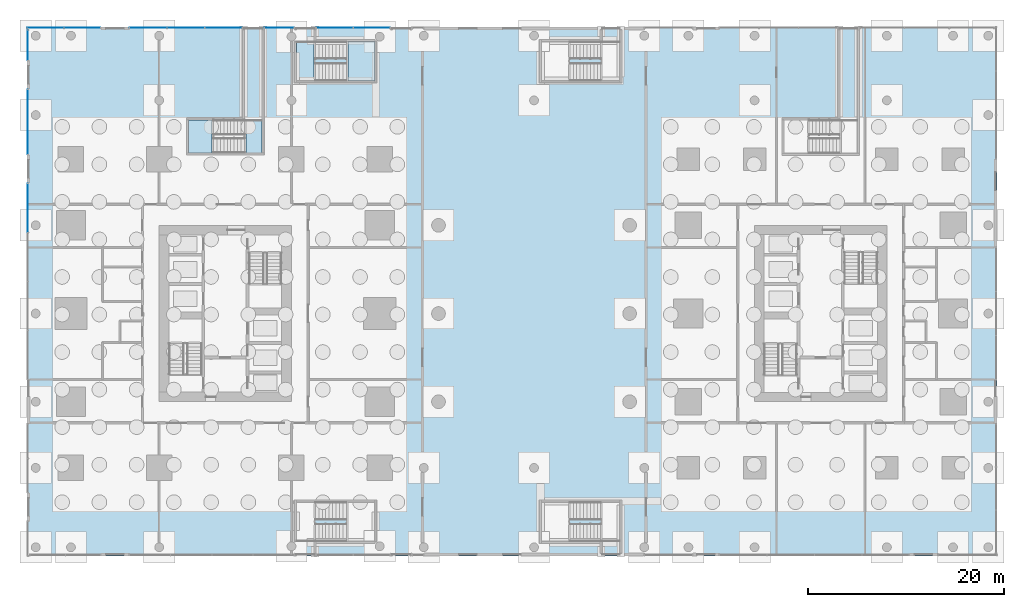
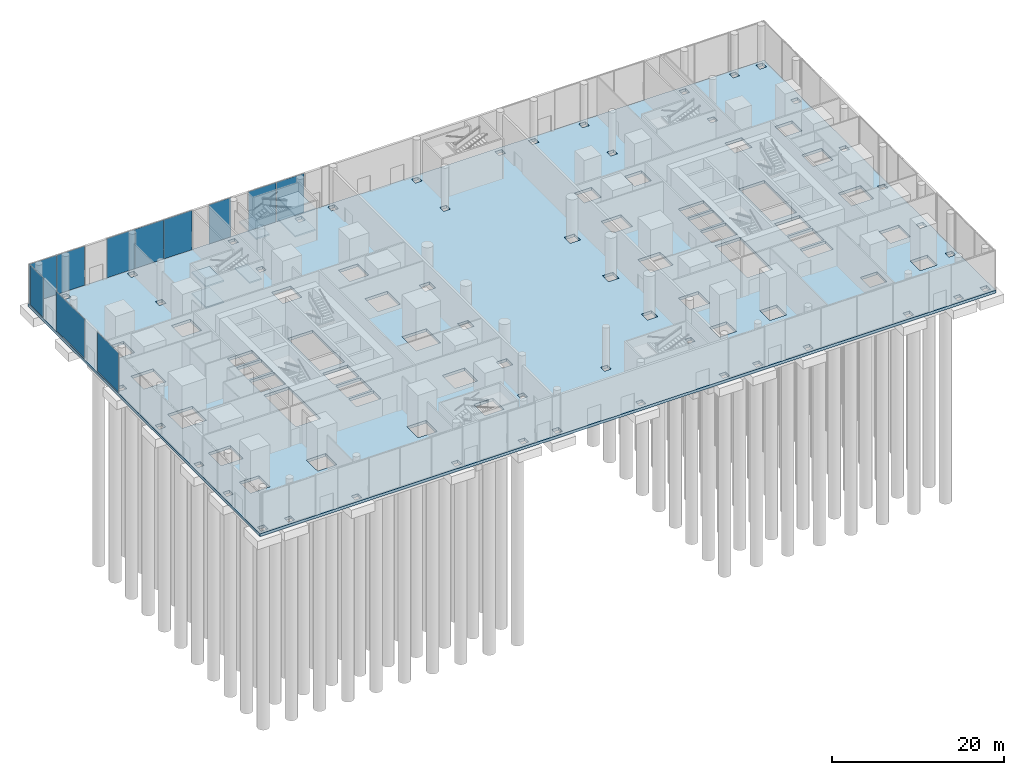
# One storey, part 16 of 31: 11 plates, 7 slabs, 9 elements without a shape of their own.
"""IFC4 building model written with IfcOpenShell, lengths in metres."""

import ifcopenshell
import ifcopenshell.guid

model = None  # the IFC model being written
_history = None  # IfcOwnerHistory: only IFC2X3 demands one
_inside = {}  # id of a spatial element -> (the spatial element, [elements in it])
_under = {}  # id of a project, library or spatial element -> (it, [spatial elements below it])
_declared = {}  # id of a project -> (the project, [libraries it declares])
_typed = {}  # id of a type object -> (the type object, [elements of that type])
_made_of = {}  # id of a material, layer set ... -> (it, [elements and type objects made of it])


def new_model(schema):
    """Start an empty IFC model of exactly this schema.

    Asked for "IFC4X3", IfcOpenShell would pick the latest addendum, in which some entities
    have other attributes; the version numbers below select the first issue.
    IFC2X3 requires an IfcOwnerHistory on every rooted entity: one is made here for all.
    """
    global model, _history
    if schema == "IFC4X3":
        model = ifcopenshell.file(schema_version=(4, 3, 0, 0))
    else:
        model = ifcopenshell.file(schema=schema)
    _inside.clear()
    _under.clear()
    _declared.clear()
    _typed.clear()
    _made_of.clear()
    _history = None
    if model.schema == "IFC2X3":
        org = make("IfcOrganization", Name="unknown")
        user = make(
            "IfcPersonAndOrganization",
            ThePerson=make("IfcPerson", FamilyName="unknown"),
            TheOrganization=org,
        )
        app = make(
            "IfcApplication",
            ApplicationDeveloper=org,
            Version="unknown",
            ApplicationFullName="unknown",
            ApplicationIdentifier="unknown",
        )
        _history = make(
            "IfcOwnerHistory",
            OwningUser=user,
            OwningApplication=app,
            ChangeAction="ADDED",
            CreationDate=0,
        )
    return model


def make(cls, **values):
    """One entity of the class cls with the attributes given. An attribute that is None is left unset."""
    return model.create_entity(
        cls, **{name: value for name, value in values.items() if value is not None}
    )


def rooted(cls, **values):
    """An entity with a GlobalId (a new one), such as an element, a storey or a relation."""
    return make(cls, GlobalId=ifcopenshell.guid.new(), OwnerHistory=_history, **values)


def si_unit(unit_type, name, prefix=None):
    """IfcSIUnit, for example si_unit("LENGTHUNIT", "METRE", prefix="MILLI")."""
    return make("IfcSIUnit", UnitType=unit_type, Prefix=prefix, Name=name)


def assignment(units):
    """IfcUnitAssignment: the units of a project."""
    return None if units is None else make("IfcUnitAssignment", Units=units)


def point(xyz):
    """IfcCartesianPoint."""
    return None if xyz is None else make("IfcCartesianPoint", Coordinates=xyz)


def direction(xyz):
    """IfcDirection."""
    return None if xyz is None else make("IfcDirection", DirectionRatios=xyz)


def frame(location, z_axis=None, x_axis=None):
    """IfcAxis2Placement3D, a coordinate frame: its origin and axes. An axis left out is left unset."""
    return make(
        "IfcAxis2Placement3D",
        Location=point(location),
        Axis=direction(z_axis),
        RefDirection=direction(x_axis),
    )


def frame_2d(location, x_axis=None):
    """IfcAxis2Placement2D, a coordinate frame in the plane: its origin and x axis."""
    return make(
        "IfcAxis2Placement2D", Location=point(location), RefDirection=direction(x_axis)
    )


def origin():
    """The frame at (0, 0, 0) with its axes left unset."""
    return frame((0.0, 0.0, 0.0))


def origin_2d():
    """The frame at (0, 0) in the plane with its x axis left unset."""
    return frame_2d((0.0, 0.0))


def place(relative_to, where):
    """IfcLocalPlacement: puts the frame where relative to a parent placement (None: the world)."""
    return make(
        "IfcLocalPlacement", PlacementRelTo=relative_to, RelativePlacement=where
    )


def context(
    kind, dimensions, precision=None, world=None, true_north=None, identifier=None
):
    """IfcGeometricRepresentationContext, for example the 3D "Model" context."""
    return make(
        "IfcGeometricRepresentationContext",
        ContextIdentifier=identifier,
        ContextType=kind,
        CoordinateSpaceDimension=dimensions,
        Precision=precision,
        WorldCoordinateSystem=world,
        TrueNorth=true_north,
    )


def subcontext(parent, identifier, kind, view, scale=None):
    """IfcGeometricRepresentationSubContext, for example "Body" below "Model"."""
    return make(
        "IfcGeometricRepresentationSubContext",
        ContextIdentifier=identifier,
        ContextType=kind,
        ParentContext=parent,
        TargetScale=scale,
        TargetView=view,
    )


def project(units=None, contexts=None):
    """IfcProject with its units and contexts."""
    return rooted(
        "IfcProject",
        Name="project",
        RepresentationContexts=contexts,
        UnitsInContext=assignment(units),
    )


def spatial(cls, under=None, at=None, **own):
    """A site, building, storey or space (cls), placed at a placement, below another one or the project."""
    s = rooted(cls, ObjectPlacement=at, **own)
    if under is not None:
        _under.setdefault(under.id(), (under, []))[1].append(s)
    return s


def polyline(points):
    """IfcPolyline through the points."""
    return make("IfcPolyline", Points=[point(p) for p in points])


def profile(cls, at=None, kind="AREA", **sizes):
    """A parametric profile (cls). Its sizes go by their IFC names, for example OverallWidth=200.0."""
    return make(cls, ProfileType=kind, Position=at, **sizes)


def rectangle(**sizes):
    """IfcRectangleProfileDef."""
    return profile("IfcRectangleProfileDef", **sizes)


def outline(outer, holes=None, kind="AREA"):
    """IfcArbitraryClosedProfileDef: a profile drawn as a closed curve; with holes, ...WithVoids."""
    if holes is None:
        return make("IfcArbitraryClosedProfileDef", ProfileType=kind, OuterCurve=outer)
    return make(
        "IfcArbitraryProfileDefWithVoids",
        ProfileType=kind,
        OuterCurve=outer,
        InnerCurves=holes,
    )


def extrude(swept, where, along, depth):
    """IfcExtrudedAreaSolid: the profile swept, set in the frame where, extruded along a direction by depth."""
    return make(
        "IfcExtrudedAreaSolid",
        SweptArea=swept,
        Position=where,
        ExtrudedDirection=direction(along),
        Depth=depth,
    )


def shape(context_of_items, identifier, shape_type, items):
    """IfcShapeRepresentation: the items that make up one representation, for example the "Body"."""
    return make(
        "IfcShapeRepresentation",
        ContextOfItems=context_of_items,
        RepresentationIdentifier=identifier,
        RepresentationType=shape_type,
        Items=items,
    )


def material(Name=None, Category=None):
    """IfcMaterial."""
    return make("IfcMaterial", Name=Name, Category=Category)


def layer(
    of_material, thickness, ventilated=None, Name=None, Category=None, Priority=None
):
    """IfcMaterialLayer: one layer of a wall or slab, of a material (None: an air gap)."""
    return make(
        "IfcMaterialLayer",
        Material=of_material,
        LayerThickness=thickness,
        IsVentilated=ventilated,
        Name=Name,
        Category=Category,
        Priority=Priority,
    )


def layer_set(layers, Name=None):
    """IfcMaterialLayerSet."""
    return make("IfcMaterialLayerSet", MaterialLayers=layers, LayerSetName=Name)


def made_of(thing, what):
    """Note that an element or type object is made of a material, layer set ...; save() writes the relation."""
    if what is not None:
        _made_of.setdefault(what.id(), (what, []))[1].append(thing)
    return thing


def type_object(cls, material=None, **own):
    """A type object (cls), such as IfcWallType, which elements share."""
    return made_of(rooted(cls, **own), material)


def element(
    cls,
    number,
    at=None,
    inside=None,
    cuts=None,
    type_object=None,
    material=None,
    context=None,
    identifier="Body",
    shape_type=None,
    held_by="IfcProductDefinitionShape",
    body=None,
    shapes=None,
    **own,
):
    """One element of the class cls, such as IfcWall. Its Tag is "e" and its number.

    at: its placement. inside: the storey or other place that contains it. cuts: it is an
    opening in that element (IfcRelVoidsElement). A single representation is given by context,
    identifier, shape_type and body (its items); several are given by shapes. held_by: the class
    of the entity that holds the representations. save() writes the other relations.
    """
    e = rooted(cls, Tag="e%d" % number, ObjectPlacement=at, **own)
    if body is not None:
        shapes = [shape(context, identifier, shape_type, body)]
    if shapes is not None:
        e.Representation = make(held_by, Representations=shapes)
    if inside is not None:
        _inside.setdefault(inside.id(), (inside, []))[1].append(e)
    if cuts is not None:
        rooted(
            "IfcRelVoidsElement", RelatingBuildingElement=cuts, RelatedOpeningElement=e
        )
    if type_object is not None:
        _typed.setdefault(type_object.id(), (type_object, []))[1].append(e)
    return made_of(e, material)


def aggregate(whole, parts):
    """IfcRelAggregates: a whole, such as a stair, and the parts it consists of."""
    return rooted("IfcRelAggregates", RelatingObject=whole, RelatedObjects=parts)


def save(model, path):
    """Write the relations noted so far, then the file.

    IfcRelAggregates (storeys below a building ...), IfcRelContainedInSpatialStructure (elements
    in a storey), IfcRelDefinesByType, IfcRelAssociatesMaterial and IfcRelDeclares: one each for
    every whole, place, type object, material and project.
    """
    for whole, parts in _under.values():
        aggregate(whole, parts)
    for where, things in _inside.values():
        rooted(
            "IfcRelContainedInSpatialStructure",
            RelatedElements=things,
            RelatingStructure=where,
        )
    for kind, things in _typed.values():
        rooted("IfcRelDefinesByType", RelatedObjects=things, RelatingType=kind)
    for what, things in _made_of.values():
        rooted("IfcRelAssociatesMaterial", RelatedObjects=things, RelatingMaterial=what)
    for by, libraries in _declared.values():
        rooted("IfcRelDeclares", RelatingContext=by, RelatedDefinitions=libraries)
    model.write(path)


model = new_model("IFC4")

# Units and contexts
model_context = context("Model", 3, precision=1e-05, world=origin(), true_north=direction((0.0, 1.0)))
body_context = subcontext(model_context, "Body", "Model", "MODEL_VIEW")
ifc_project = project(units=[si_unit("LENGTHUNIT", "METRE"), si_unit("AREAUNIT", "SQUARE_METRE"), si_unit("VOLUMEUNIT", "CUBIC_METRE"), si_unit("PLANEANGLEUNIT", "RADIAN"), si_unit("MASSUNIT", "GRAM", prefix="KILO")], contexts=[model_context])

# Site, building, storey
site_placement = place(None, origin())
site = spatial("IfcSite", under=ifc_project, at=site_placement, CompositionType="ELEMENT")
building_placement = place(site_placement, origin())
building = spatial("IfcBuilding", under=site, at=building_placement, Name="Namib Vertical Campus", CompositionType="ELEMENT")
storey_placement = place(building_placement, origin())
storey = spatial("IfcBuildingStorey", under=building, at=storey_placement, Name="L00", CompositionType="ELEMENT", Elevation=0.0)

# Curtain wall, plates
ifc_material_1 = material(Name="Black aluminium curtain wall", Category="aluminium")
ifc_layer_1 = layer(ifc_material_1, 0.199951171875)
ifc_layer_set_1 = layer_set([ifc_layer_1], Name="Entrance curtain wall CW-EN")
curtain_wall_type = type_object("IfcCurtainWallType", Name="Entrance curtain wall CW-EN", PredefinedType="USERDEFINED", material=ifc_layer_set_1)
curtain_wall_1_placement = place(storey_placement, origin())
curtain_wall_1 = element("IfcCurtainWall", 1, at=curtain_wall_1_placement, inside=storey, type_object=curtain_wall_type, Name="Curtain wall CW-EN L00 1-1", ObjectType="CURTAIN WALL", PredefinedType="USERDEFINED")
ifc_material_2 = material(Name="Dark tinted glass", Category="glass")
ifc_layer_2 = layer(ifc_material_2, 0.028076171875)
ifc_layer_set_2 = layer_set([ifc_layer_2], Name="Dark solar glass panel 28")
plate_type = type_object("IfcPlateType", Name="Dark solar glass panel 28", PredefinedType="CURTAIN_PANEL", material=ifc_layer_set_2)
plate_1_placement = place(storey_placement, frame((5.6474609375, 49.39990234375, 0.06005859375), z_axis=(0.0, 0.0, 1.0), x_axis=(-1.0, 0.0, 0.0)))
plate_1 = element("IfcPlate", 2, at=plate_1_placement, type_object=plate_type, Name="CW-EN panel 1.1", PredefinedType="CURTAIN_PANEL", context=body_context, shape_type="SweptSolid", body=[
    extrude(rectangle(XDim=3.68505859375, YDim=0.028076171875, at=origin_2d()), origin(), (0.0, 0.0, 1.0), 5.580078125),
])
plate_2_placement = place(storey_placement, frame((1.902587890625, 49.39990234375, 0.06005859375), z_axis=(0.0, 0.0, 1.0), x_axis=(-1.0, 0.0, 0.0)))
plate_2 = element("IfcPlate", 3, at=plate_2_placement, type_object=plate_type, Name="CW-EN panel 2.1", PredefinedType="CURTAIN_PANEL", context=body_context, shape_type="SweptSolid", body=[
    extrude(rectangle(XDim=3.68505859375, YDim=0.028076171875, at=origin_2d()), origin(), (0.0, 0.0, 1.0), 5.580078125),
])
aggregate(curtain_wall_1, [plate_1, plate_2])

curtain_wall_2_placement = place(storey_placement, origin())
curtain_wall_2 = element("IfcCurtainWall", 4, at=curtain_wall_2_placement, inside=storey, type_object=curtain_wall_type, Name="Curtain wall CW-EN L00 3-1", ObjectType="CURTAIN WALL", PredefinedType="USERDEFINED")
plate_3_placement = place(storey_placement, frame((20.06005859375, 49.39990234375, 0.06005859375), z_axis=(0.0, 0.0, 1.0), x_axis=(-1.0, 0.0, 0.0)))
plate_3 = element("IfcPlate", 5, at=plate_3_placement, type_object=plate_type, Name="CW-EN panel 1.1", PredefinedType="CURTAIN_PANEL", context=body_context, shape_type="SweptSolid", body=[
    extrude(rectangle(XDim=3.760009765625, YDim=0.028076171875, at=origin_2d()), origin(), (0.0, 0.0, 1.0), 5.580078125),
])
plate_4_placement = place(storey_placement, frame((16.22509765625, 49.39990234375, 0.06005859375), z_axis=(0.0, 0.0, 1.0), x_axis=(-1.0, 0.0, 0.0)))
plate_4 = element("IfcPlate", 6, at=plate_4_placement, type_object=plate_type, Name="CW-EN panel 2.1", PredefinedType="CURTAIN_PANEL", context=body_context, shape_type="SweptSolid", body=[
    extrude(rectangle(XDim=3.7900390625, YDim=0.028076171875, at=origin_2d()), origin(), (0.0, 0.0, 1.0), 5.580078125),
])
plate_5_placement = place(storey_placement, frame((12.389892578125, 49.39990234375, 0.06005859375), z_axis=(0.0, 0.0, 1.0), x_axis=(-1.0, 0.0, 0.0)))
plate_5 = element("IfcPlate", 7, at=plate_5_placement, type_object=plate_type, Name="CW-EN panel 3.1", PredefinedType="CURTAIN_PANEL", context=body_context, shape_type="SweptSolid", body=[
    extrude(rectangle(XDim=3.760009765625, YDim=0.028076171875, at=origin_2d()), origin(), (0.0, 0.0, 1.0), 5.580078125),
])
aggregate(curtain_wall_2, [plate_3, plate_4, plate_5])

# Curtain wall, plate
curtain_wall_3_placement = place(storey_placement, origin())
curtain_wall_3 = element("IfcCurtainWall", 8, at=curtain_wall_3_placement, inside=storey, type_object=curtain_wall_type, Name="Curtain wall CW-EN L00 5-1", ObjectType="CURTAIN WALL", PredefinedType="USERDEFINED")
plate_6_placement = place(storey_placement, frame((25.75, 49.39990234375, 0.06005859375), z_axis=(0.0, 0.0, 1.0), x_axis=(-1.0, 0.0, 0.0)))
plate_6 = element("IfcPlate", 9, at=plate_6_placement, type_object=plate_type, Name="CW-EN panel 1.1", PredefinedType="CURTAIN_PANEL", context=body_context, shape_type="SweptSolid", body=[
    extrude(rectangle(XDim=2.97998046875, YDim=0.028076171875, at=origin_2d()), origin(), (0.0, 0.0, 1.0), 5.580078125),
])
aggregate(curtain_wall_3, [plate_6])

# Curtain wall, plates
curtain_wall_4_placement = place(storey_placement, origin())
curtain_wall_4 = element("IfcCurtainWall", 10, at=curtain_wall_4_placement, inside=storey, type_object=curtain_wall_type, Name="Curtain wall CW-EN L00 7-1", ObjectType="CURTAIN WALL", PredefinedType="USERDEFINED")
plate_7_placement = place(storey_placement, frame((35.18505859375, 49.39990234375, 0.06005859375), z_axis=(0.0, 0.0, 1.0), x_axis=(-1.0, 0.0, 0.0)))
plate_7 = element("IfcPlate", 11, at=plate_7_placement, type_object=plate_type, Name="CW-EN panel 1.1", PredefinedType="CURTAIN_PANEL", context=body_context, shape_type="SweptSolid", body=[
    extrude(rectangle(XDim=3.7099609375, YDim=0.028076171875, at=origin_2d()), origin(), (0.0, 0.0, 1.0), 5.580078125),
])
plate_8_placement = place(storey_placement, frame((31.4150390625, 49.39990234375, 0.06005859375), z_axis=(0.0, 0.0, 1.0), x_axis=(-1.0, 0.0, 0.0)))
plate_8 = element("IfcPlate", 12, at=plate_8_placement, type_object=plate_type, Name="CW-EN panel 2.1", PredefinedType="CURTAIN_PANEL", context=body_context, shape_type="SweptSolid", body=[
    extrude(rectangle(XDim=3.7099609375, YDim=0.028076171875, at=origin_2d()), origin(), (0.0, 0.0, 1.0), 5.580078125),
])
aggregate(curtain_wall_4, [plate_7, plate_8])

# Curtain wall, plate
curtain_wall_5_placement = place(storey_placement, origin())
curtain_wall_5 = element("IfcCurtainWall", 13, at=curtain_wall_5_placement, inside=storey, type_object=curtain_wall_type, Name="Curtain wall CW-EN L00 5-1", ObjectType="CURTAIN WALL", PredefinedType="USERDEFINED")
plate_9_placement = place(storey_placement, frame((0.10009765625, 31.02880859375, 0.06005859375), z_axis=(0.0, 0.0, 1.0), x_axis=(0.0, -1.0, 0.0)))
plate_9 = element("IfcPlate", 14, at=plate_9_placement, type_object=plate_type, Name="CW-EN panel 1.1", PredefinedType="CURTAIN_PANEL", context=body_context, shape_type="SweptSolid", body=[
    extrude(rectangle(XDim=4.922607421875, YDim=0.028076171875, at=origin_2d()), origin(), (0.0, 0.0, 1.0), 5.580078125),
])
aggregate(curtain_wall_5, [plate_9])

curtain_wall_6_placement = place(storey_placement, origin())
curtain_wall_6 = element("IfcCurtainWall", 15, at=curtain_wall_6_placement, inside=storey, type_object=curtain_wall_type, Name="Curtain wall CW-EN L00 7-1", ObjectType="CURTAIN WALL", PredefinedType="USERDEFINED")
plate_10_placement = place(storey_placement, frame((0.10009765625, 39.800048828125, 0.06005859375), z_axis=(0.0, 0.0, 1.0), x_axis=(0.0, -1.0, 0.0)))
plate_10 = element("IfcPlate", 16, at=plate_10_placement, type_object=plate_type, Name="CW-EN panel 1.1", PredefinedType="CURTAIN_PANEL", context=body_context, shape_type="SweptSolid", body=[
    extrude(rectangle(XDim=6.580078125, YDim=0.028076171875, at=origin_2d()), origin(), (0.0, 0.0, 1.0), 5.580078125),
])
aggregate(curtain_wall_6, [plate_10])

curtain_wall_7_placement = place(storey_placement, origin())
curtain_wall_7 = element("IfcCurtainWall", 17, at=curtain_wall_7_placement, inside=storey, type_object=curtain_wall_type, Name="Curtain wall CW-EN L00 9-1", ObjectType="CURTAIN WALL", PredefinedType="USERDEFINED")
plate_11_placement = place(storey_placement, frame((0.10009765625, 47.625, 0.06005859375), z_axis=(0.0, 0.0, 1.0), x_axis=(0.0, -1.0, 0.0)))
plate_11 = element("IfcPlate", 18, at=plate_11_placement, type_object=plate_type, Name="CW-EN panel 1.1", PredefinedType="CURTAIN_PANEL", context=body_context, shape_type="SweptSolid", body=[
    extrude(rectangle(XDim=3.030029296875, YDim=0.028076171875, at=origin_2d()), origin(), (0.0, 0.0, 1.0), 5.580078125),
])
aggregate(curtain_wall_7, [plate_11])

# Slab
ifc_material_3 = material(Name="Concrete C40/50", Category="concrete")
ifc_layer_3 = layer(ifc_material_3, 0.39990234375)
ifc_layer_set_3 = layer_set([ifc_layer_3], Name="Concrete C40/50")
slab_type_1 = type_object("IfcSlabType", Name="Ground slab 400", PredefinedType="BASESLAB", material=ifc_layer_set_3)
slab_1_placement = place(storey_placement, frame((0.0, 0.0, -0.39990234375)))
element("IfcSlab", 19, at=slab_1_placement, inside=storey, type_object=slab_type_1, Name="Ground slab", PredefinedType="BASESLAB", context=body_context, shape_type="SweptSolid", body=[
    extrude(outline(polyline([(0.0, -4.5), (99.0, -4.5), (99.0, 49.5), (0.0, 49.5), (0.0, -4.5)]), holes=[polyline([(97.64990234375, 49.050048828125), (98.550048828125, 49.050048828125), (98.550048828125, 48.14990234375), (97.64990234375, 48.14990234375), (97.64990234375, 49.050048828125)]), polyline([(97.64990234375, -3.14990234375), (98.550048828125, -3.14990234375), (98.550048828125, -4.050048828125), (97.64990234375, -4.050048828125), (97.64990234375, -3.14990234375)]), polyline([(97.64990234375, 4.949951171875), (98.550048828125, 4.949951171875), (98.550048828125, 4.050048828125), (97.64990234375, 4.050048828125), (97.64990234375, 4.949951171875)]), polyline([(97.64990234375, 10.800048828125), (97.64990234375, 11.699951171875), (98.550048828125, 11.699951171875), (98.550048828125, 10.800048828125), (97.64990234375, 10.800048828125)]), polyline([(97.64990234375, 29.699951171875), (98.550048828125, 29.699951171875), (98.550048828125, 28.800048828125), (97.64990234375, 28.800048828125), (97.64990234375, 29.699951171875)]), polyline([(97.64990234375, 20.699951171875), (98.550048828125, 20.699951171875), (98.550048828125, 19.800048828125), (97.64990234375, 19.800048828125), (97.64990234375, 20.699951171875)]), polyline([(97.64990234375, 40.949951171875), (98.550048828125, 40.949951171875), (98.550048828125, 40.050048828125), (97.64990234375, 40.050048828125), (97.64990234375, 40.949951171875)]), polyline([(93.0, 18.75), (93.0, 21.75), (96.0, 21.75), (96.0, 18.75), (93.0, 18.75)]), polyline([(93.14990234375, 27.89990234375), (93.14990234375, 30.60009765625), (95.85009765625, 30.60009765625), (95.85009765625, 27.89990234375), (93.14990234375, 27.89990234375)]), polyline([(93.14990234375, 12.60009765625), (95.85009765625, 12.60009765625), (95.85009765625, 9.89990234375), (93.14990234375, 9.89990234375), (93.14990234375, 12.60009765625)]), polyline([(93.35009765625, 37.14990234375), (95.64990234375, 37.14990234375), (95.64990234375, 34.85009765625), (93.35009765625, 34.85009765625), (93.35009765625, 37.14990234375)]), polyline([(93.35009765625, 5.64990234375), (95.64990234375, 5.64990234375), (95.64990234375, 3.35009765625), (93.35009765625, 3.35009765625), (93.35009765625, 5.64990234375)]), polyline([(94.050048828125, 49.050048828125), (94.949951171875, 49.050048828125), (94.949951171875, 48.14990234375), (94.050048828125, 48.14990234375), (94.050048828125, 49.050048828125)]), polyline([(94.050048828125, -3.14990234375), (94.949951171875, -3.14990234375), (94.949951171875, -4.050048828125), (94.050048828125, -4.050048828125), (94.050048828125, -3.14990234375)]), polyline([(86.60009765625, 3.35009765625), (86.60009765625, 5.64990234375), (88.89990234375, 5.64990234375), (88.89990234375, 3.35009765625), (86.60009765625, 3.35009765625)]), polyline([(86.60009765625, 34.85009765625), (86.60009765625, 37.14990234375), (88.89990234375, 37.14990234375), (88.89990234375, 34.85009765625), (86.60009765625, 34.85009765625)]), polyline([(87.300048828125, 42.449951171875), (88.199951171875, 42.449951171875), (88.199951171875, 41.550048828125), (87.300048828125, 41.550048828125), (87.300048828125, 42.449951171875)]), polyline([(87.300048828125, -4.050048828125), (87.300048828125, -3.14990234375), (88.199951171875, -3.14990234375), (88.199951171875, -4.050048828125), (87.300048828125, -4.050048828125)]), polyline([(87.300048828125, 48.14990234375), (87.300048828125, 49.050048828125), (88.199951171875, 49.050048828125), (88.199951171875, 48.14990234375), (87.300048828125, 48.14990234375)]), polyline([(83.39990234375, 28.300048828125), (86.800048828125, 28.300048828125), (86.800048828125, 20.800048828125), (83.39990234375, 20.800048828125), (83.39990234375, 28.300048828125)]), polyline([(83.39990234375, 20.10009765625), (86.800048828125, 20.10009765625), (86.800048828125, 17.39990234375), (83.39990234375, 17.39990234375), (83.39990234375, 20.10009765625)]), polyline([(83.39990234375, 17.10009765625), (86.800048828125, 17.10009765625), (86.800048828125, 14.39990234375), (83.39990234375, 14.39990234375), (83.39990234375, 17.10009765625)]), polyline([(83.39990234375, 14.10009765625), (86.800048828125, 14.10009765625), (86.800048828125, 12.199951171875), (83.39990234375, 12.199951171875), (83.39990234375, 14.10009765625)]), polyline([(75.199951171875, 12.199951171875), (75.199951171875, 19.699951171875), (78.60009765625, 19.699951171875), (78.60009765625, 12.199951171875), (75.199951171875, 12.199951171875)]), polyline([(75.199951171875, 20.39990234375), (75.199951171875, 23.10009765625), (78.60009765625, 23.10009765625), (78.60009765625, 20.39990234375), (75.199951171875, 20.39990234375)]), polyline([(75.199951171875, 28.300048828125), (78.60009765625, 28.300048828125), (78.60009765625, 26.39990234375), (75.199951171875, 26.39990234375), (75.199951171875, 28.300048828125)]), polyline([(75.199951171875, 26.10009765625), (78.60009765625, 26.10009765625), (78.60009765625, 23.39990234375), (75.199951171875, 23.39990234375), (75.199951171875, 26.10009765625)]), polyline([(73.10009765625, 37.14990234375), (75.39990234375, 37.14990234375), (75.39990234375, 34.85009765625), (73.10009765625, 34.85009765625), (73.10009765625, 37.14990234375)]), polyline([(73.10009765625, 5.64990234375), (75.39990234375, 5.64990234375), (75.39990234375, 3.35009765625), (73.10009765625, 3.35009765625), (73.10009765625, 5.64990234375)]), polyline([(73.800048828125, 48.14990234375), (73.800048828125, 49.050048828125), (74.699951171875, 49.050048828125), (74.699951171875, 48.14990234375), (73.800048828125, 48.14990234375)]), polyline([(73.800048828125, 42.449951171875), (74.699951171875, 42.449951171875), (74.699951171875, 41.550048828125), (73.800048828125, 41.550048828125), (73.800048828125, 42.449951171875)]), polyline([(73.800048828125, -3.14990234375), (74.699951171875, -3.14990234375), (74.699951171875, -4.050048828125), (73.800048828125, -4.050048828125), (73.800048828125, -3.14990234375)]), polyline([(66.0, 21.75), (69.0, 21.75), (69.0, 18.75), (66.0, 18.75), (66.0, 21.75)]), polyline([(66.14990234375, 27.89990234375), (66.14990234375, 30.60009765625), (68.85009765625, 30.60009765625), (68.85009765625, 27.89990234375), (66.14990234375, 27.89990234375)]), polyline([(66.14990234375, 12.60009765625), (68.85009765625, 12.60009765625), (68.85009765625, 9.89990234375), (66.14990234375, 9.89990234375), (66.14990234375, 12.60009765625)]), polyline([(66.35009765625, 5.64990234375), (68.64990234375, 5.64990234375), (68.64990234375, 3.35009765625), (66.35009765625, 3.35009765625), (66.35009765625, 5.64990234375)]), polyline([(66.35009765625, 34.85009765625), (66.35009765625, 37.14990234375), (68.64990234375, 37.14990234375), (68.64990234375, 34.85009765625), (66.35009765625, 34.85009765625)]), polyline([(67.050048828125, -3.14990234375), (67.949951171875, -3.14990234375), (67.949951171875, -4.050048828125), (67.050048828125, -4.050048828125), (67.050048828125, -3.14990234375)]), polyline([(67.050048828125, 49.050048828125), (67.949951171875, 49.050048828125), (67.949951171875, 48.14990234375), (67.050048828125, 48.14990234375), (67.050048828125, 49.050048828125)]), polyline([(62.550048828125, 49.050048828125), (63.449951171875, 49.050048828125), (63.449951171875, 48.14990234375), (62.550048828125, 48.14990234375), (62.550048828125, 49.050048828125)]), polyline([(62.550048828125, 4.050048828125), (62.550048828125, 4.949951171875), (63.449951171875, 4.949951171875), (63.449951171875, 4.050048828125), (62.550048828125, 4.050048828125)]), polyline([(62.550048828125, -4.050048828125), (62.550048828125, -3.14990234375), (63.449951171875, -3.14990234375), (63.449951171875, -4.050048828125), (62.550048828125, -4.050048828125)]), polyline([(60.800048828125, 29.949951171875), (62.199951171875, 29.949951171875), (62.199951171875, 28.550048828125), (60.800048828125, 28.550048828125), (60.800048828125, 29.949951171875)]), polyline([(60.800048828125, 20.949951171875), (62.199951171875, 20.949951171875), (62.199951171875, 19.550048828125), (60.800048828125, 19.550048828125), (60.800048828125, 20.949951171875)]), polyline([(60.800048828125, 10.550048828125), (60.800048828125, 11.949951171875), (62.199951171875, 11.949951171875), (62.199951171875, 10.550048828125), (60.800048828125, 10.550048828125)]), polyline([(51.300048828125, 48.14990234375), (51.300048828125, 49.050048828125), (52.199951171875, 49.050048828125), (52.199951171875, 48.14990234375), (51.300048828125, 48.14990234375)]), polyline([(51.300048828125, 4.949951171875), (52.199951171875, 4.949951171875), (52.199951171875, 4.050048828125), (51.300048828125, 4.050048828125), (51.300048828125, 4.949951171875)]), polyline([(51.300048828125, -4.050048828125), (51.300048828125, -3.14990234375), (52.199951171875, -3.14990234375), (52.199951171875, -4.050048828125), (51.300048828125, -4.050048828125)]), polyline([(51.300048828125, 42.449951171875), (52.199951171875, 42.449951171875), (52.199951171875, 41.550048828125), (51.300048828125, 41.550048828125), (51.300048828125, 42.449951171875)]), polyline([(41.300048828125, 29.949951171875), (42.699951171875, 29.949951171875), (42.699951171875, 28.550048828125), (41.300048828125, 28.550048828125), (41.300048828125, 29.949951171875)]), polyline([(41.300048828125, 20.949951171875), (42.699951171875, 20.949951171875), (42.699951171875, 19.550048828125), (41.300048828125, 19.550048828125), (41.300048828125, 20.949951171875)]), polyline([(41.300048828125, 11.949951171875), (42.699951171875, 11.949951171875), (42.699951171875, 10.550048828125), (41.300048828125, 10.550048828125), (41.300048828125, 11.949951171875)]), polyline([(40.050048828125, 49.050048828125), (40.949951171875, 49.050048828125), (40.949951171875, 48.14990234375), (40.050048828125, 48.14990234375), (40.050048828125, 49.050048828125)]), polyline([(40.050048828125, 4.949951171875), (40.949951171875, 4.949951171875), (40.949951171875, 4.050048828125), (40.050048828125, 4.050048828125), (40.050048828125, 4.949951171875)]), polyline([(40.050048828125, -3.14990234375), (40.949951171875, -3.14990234375), (40.949951171875, -4.050048828125), (40.050048828125, -4.050048828125), (40.050048828125, -3.14990234375)]), polyline([(34.35009765625, 21.89990234375), (37.64990234375, 21.89990234375), (37.64990234375, 18.60009765625), (34.35009765625, 18.60009765625), (34.35009765625, 21.89990234375)]), polyline([(34.5, 9.75), (34.5, 12.75), (37.5, 12.75), (37.5, 9.75), (34.5, 9.75)]), polyline([(34.5, 27.75), (34.5, 30.75), (37.5, 30.75), (37.5, 27.75), (34.5, 27.75)]), polyline([(34.699951171875, 5.800048828125), (37.300048828125, 5.800048828125), (37.300048828125, 3.199951171875), (34.699951171875, 3.199951171875), (34.699951171875, 5.800048828125)]), polyline([(34.699951171875, 34.699951171875), (34.699951171875, 37.300048828125), (37.300048828125, 37.300048828125), (37.300048828125, 34.699951171875), (34.699951171875, 34.699951171875)]), polyline([(35.550048828125, -3.949951171875), (35.550048828125, -3.050048828125), (36.449951171875, -3.050048828125), (36.449951171875, -3.949951171875), (35.550048828125, -3.949951171875)]), polyline([(35.550048828125, 48.050048828125), (35.550048828125, 48.949951171875), (36.449951171875, 48.949951171875), (36.449951171875, 48.050048828125), (35.550048828125, 48.050048828125)]), polyline([(25.699951171875, 37.300048828125), (28.300048828125, 37.300048828125), (28.300048828125, 34.699951171875), (25.699951171875, 34.699951171875), (25.699951171875, 37.300048828125)]), polyline([(25.699951171875, 3.199951171875), (25.699951171875, 5.800048828125), (28.300048828125, 5.800048828125), (28.300048828125, 3.199951171875), (25.699951171875, 3.199951171875)]), polyline([(26.550048828125, 48.949951171875), (27.449951171875, 48.949951171875), (27.449951171875, 48.050048828125), (26.550048828125, 48.050048828125), (26.550048828125, 48.949951171875)]), polyline([(26.550048828125, 42.449951171875), (27.449951171875, 42.449951171875), (27.449951171875, 41.550048828125), (26.550048828125, 41.550048828125), (26.550048828125, 42.449951171875)]), polyline([(26.550048828125, -3.050048828125), (27.449951171875, -3.050048828125), (27.449951171875, -3.949951171875), (26.550048828125, -3.949951171875), (26.550048828125, -3.050048828125)]), polyline([(22.64990234375, 14.10009765625), (26.0, 14.10009765625), (26.0, 12.25), (22.64990234375, 12.25), (22.64990234375, 14.10009765625)]), polyline([(22.64990234375, 17.10009765625), (26.0, 17.10009765625), (26.0, 14.39990234375), (22.64990234375, 14.39990234375), (22.64990234375, 17.10009765625)]), polyline([(22.64990234375, 28.25), (26.0, 28.25), (26.0, 20.800048828125), (22.64990234375, 20.800048828125), (22.64990234375, 28.25)]), polyline([(22.64990234375, 17.39990234375), (22.64990234375, 20.10009765625), (26.0, 20.10009765625), (26.0, 17.39990234375), (22.64990234375, 17.39990234375)]), polyline([(14.5, 26.39990234375), (14.5, 28.25), (17.85009765625, 28.25), (17.85009765625, 26.39990234375), (14.5, 26.39990234375)]), polyline([(14.5, 26.10009765625), (17.85009765625, 26.10009765625), (17.85009765625, 23.39990234375), (14.5, 23.39990234375), (14.5, 26.10009765625)]), polyline([(14.5, 20.39990234375), (14.5, 23.10009765625), (17.85009765625, 23.10009765625), (17.85009765625, 20.39990234375), (14.5, 20.39990234375)]), polyline([(14.5, 12.25), (14.5, 19.699951171875), (17.85009765625, 19.699951171875), (17.85009765625, 12.25), (14.5, 12.25)]), polyline([(12.199951171875, 5.800048828125), (14.800048828125, 5.800048828125), (14.800048828125, 3.199951171875), (12.199951171875, 3.199951171875), (12.199951171875, 5.800048828125)]), polyline([(12.199951171875, 34.699951171875), (12.199951171875, 37.300048828125), (14.800048828125, 37.300048828125), (14.800048828125, 34.699951171875), (12.199951171875, 34.699951171875)]), polyline([(13.050048828125, -4.050048828125), (13.050048828125, -3.14990234375), (13.949951171875, -3.14990234375), (13.949951171875, -4.050048828125), (13.050048828125, -4.050048828125)]), polyline([(13.050048828125, 41.550048828125), (13.050048828125, 42.449951171875), (13.949951171875, 42.449951171875), (13.949951171875, 41.550048828125), (13.050048828125, 41.550048828125)]), polyline([(13.050048828125, 49.050048828125), (13.949951171875, 49.050048828125), (13.949951171875, 48.14990234375), (13.050048828125, 48.14990234375), (13.050048828125, 49.050048828125)]), polyline([(2.85009765625, 21.89990234375), (6.14990234375, 21.89990234375), (6.14990234375, 18.60009765625), (2.85009765625, 18.60009765625), (2.85009765625, 21.89990234375)]), polyline([(3.0, 30.75), (6.0, 30.75), (6.0, 27.75), (3.0, 27.75), (3.0, 30.75)]), polyline([(3.0, 12.75), (6.0, 12.75), (6.0, 9.75), (3.0, 9.75), (3.0, 12.75)]), polyline([(3.199951171875, 37.300048828125), (5.800048828125, 37.300048828125), (5.800048828125, 34.699951171875), (3.199951171875, 34.699951171875), (3.199951171875, 37.300048828125)]), polyline([(3.199951171875, 5.800048828125), (5.800048828125, 5.800048828125), (5.800048828125, 3.199951171875), (3.199951171875, 3.199951171875), (3.199951171875, 5.800048828125)]), polyline([(4.050048828125, -4.050048828125), (4.050048828125, -3.14990234375), (4.949951171875, -3.14990234375), (4.949951171875, -4.050048828125), (4.050048828125, -4.050048828125)]), polyline([(4.050048828125, 49.050048828125), (4.949951171875, 49.050048828125), (4.949951171875, 48.14990234375), (4.050048828125, 48.14990234375), (4.050048828125, 49.050048828125)]), polyline([(0.449951171875, 48.14990234375), (0.449951171875, 49.050048828125), (1.35009765625, 49.050048828125), (1.35009765625, 48.14990234375), (0.449951171875, 48.14990234375)]), polyline([(0.449951171875, 40.949951171875), (1.35009765625, 40.949951171875), (1.35009765625, 40.050048828125), (0.449951171875, 40.050048828125), (0.449951171875, 40.949951171875)]), polyline([(0.449951171875, 29.699951171875), (1.35009765625, 29.699951171875), (1.35009765625, 28.800048828125), (0.449951171875, 28.800048828125), (0.449951171875, 29.699951171875)]), polyline([(0.449951171875, 20.699951171875), (1.35009765625, 20.699951171875), (1.35009765625, 19.800048828125), (0.449951171875, 19.800048828125), (0.449951171875, 20.699951171875)]), polyline([(0.449951171875, 11.699951171875), (1.35009765625, 11.699951171875), (1.35009765625, 10.800048828125), (0.449951171875, 10.800048828125), (0.449951171875, 11.699951171875)]), polyline([(0.449951171875, 4.050048828125), (0.449951171875, 4.949951171875), (1.35009765625, 4.949951171875), (1.35009765625, 4.050048828125), (0.449951171875, 4.050048828125)]), polyline([(0.449951171875, -4.050048828125), (0.449951171875, -3.14990234375), (1.35009765625, -3.14990234375), (1.35009765625, -4.050048828125), (0.449951171875, -4.050048828125)])]), origin(), (0.0, 0.0, 1.0), 0.39990234375),
])

# Stair, slabs
ifc_material_4 = material(Name="Concrete C40/50 precast", Category="concrete")
stair_type_1 = type_object("IfcStairType", Name="Podium exit stair 6000 rise 40 risers 1800 flights", PredefinedType="HALF_TURN_STAIR", material=ifc_material_4)
stair_1_placement = place(storey_placement, origin())
stair_1 = element("IfcStair", 20, at=stair_1_placement, inside=storey, type_object=stair_type_1, Name="Exit stair P-S1 L00", PredefinedType="HALF_TURN_STAIR")
ifc_material_5 = material(Name="Concrete C40/50", Category="concrete")
ifc_layer_4 = layer(ifc_material_5, 0.199951171875)
ifc_layer_set_4 = layer_set([ifc_layer_4], Name="Concrete C40/50")
slab_type_2 = type_object("IfcSlabType", Name="Stair landing 200", PredefinedType="LANDING", material=ifc_layer_set_4)
slab_2_placement = place(storey_placement, frame((0.0, 0.0, 1.300048828125)))
slab_2 = element("IfcSlab", 21, at=slab_2_placement, type_object=slab_type_2, Name="P-S1 landing 1", PredefinedType="LANDING", context=body_context, shape_type="SweptSolid", body=[
    extrude(outline(polyline([(32.7421875, 44.0), (32.7421875, 48.0), (35.5, 48.0), (35.5, 44.0), (32.7421875, 44.0)])), origin(), (0.0, 0.0, 1.0), 0.199951171875),
])
slab_3_placement = place(storey_placement, frame((0.0, 0.0, 2.800048828125)))
slab_3 = element("IfcSlab", 22, at=slab_3_placement, type_object=slab_type_2, Name="P-S1 landing 2", PredefinedType="LANDING", context=body_context, shape_type="SweptSolid", body=[
    extrude(outline(polyline([(27.5, 44.0), (27.5, 48.0), (29.300048828125, 48.0), (29.300048828125, 44.0), (27.5, 44.0)])), origin(), (0.0, 0.0, 1.0), 0.199951171875),
])
slab_4_placement = place(storey_placement, frame((0.0, 0.0, 4.300048828125)))
slab_4 = element("IfcSlab", 23, at=slab_4_placement, type_object=slab_type_2, Name="P-S1 landing 3", PredefinedType="LANDING", context=body_context, shape_type="SweptSolid", body=[
    extrude(outline(polyline([(32.7421875, 44.0), (32.7421875, 48.0), (35.5, 48.0), (35.5, 44.0), (32.7421875, 44.0)])), origin(), (0.0, 0.0, 1.0), 0.199951171875),
])
aggregate(stair_1, [slab_2, slab_3, slab_4])

ifc_material_6 = material(Name="Concrete C40/50 precast", Category="concrete")
stair_type_2 = type_object("IfcStairType", Name="Exit stair 6000 rise 40 risers 3350 wide", PredefinedType="HALF_TURN_STAIR", material=ifc_material_6)
stair_2_placement = place(storey_placement, origin())
stair_2 = element("IfcStair", 24, at=stair_2_placement, inside=storey, type_object=stair_type_2, Name="Exit stair A-S3 L00", PredefinedType="HALF_TURN_STAIR")
slab_5_placement = place(storey_placement, frame((0.0, 0.0, 1.300048828125)))
slab_5 = element("IfcSlab", 25, at=slab_5_placement, type_object=slab_type_2, Name="A-S3 landing 1", PredefinedType="LANDING", context=body_context, shape_type="SweptSolid", body=[
    extrude(outline(polyline([(16.5, 36.64990234375), (16.5, 40.0), (18.90380859375, 40.0), (18.90380859375, 36.64990234375), (16.5, 36.64990234375)])), origin(), (0.0, 0.0, 1.0), 0.199951171875),
])
slab_6_placement = place(storey_placement, frame((0.0, 0.0, 2.800048828125)))
slab_6 = element("IfcSlab", 26, at=slab_6_placement, type_object=slab_type_2, Name="A-S3 landing 2", PredefinedType="LANDING", context=body_context, shape_type="SweptSolid", body=[
    extrude(outline(polyline([(22.34619140625, 36.64990234375), (22.34619140625, 40.0), (24.0, 40.0), (24.0, 36.64990234375), (22.34619140625, 36.64990234375)])), origin(), (0.0, 0.0, 1.0), 0.199951171875),
])
slab_7_placement = place(storey_placement, frame((0.0, 0.0, 4.300048828125)))
slab_7 = element("IfcSlab", 27, at=slab_7_placement, type_object=slab_type_2, Name="A-S3 landing 3", PredefinedType="LANDING", context=body_context, shape_type="SweptSolid", body=[
    extrude(outline(polyline([(16.5, 36.64990234375), (16.5, 40.0), (18.90380859375, 40.0), (18.90380859375, 36.64990234375), (16.5, 36.64990234375)])), origin(), (0.0, 0.0, 1.0), 0.199951171875),
])
aggregate(stair_2, [slab_5, slab_6, slab_7])

save(model, "model.ifc")
